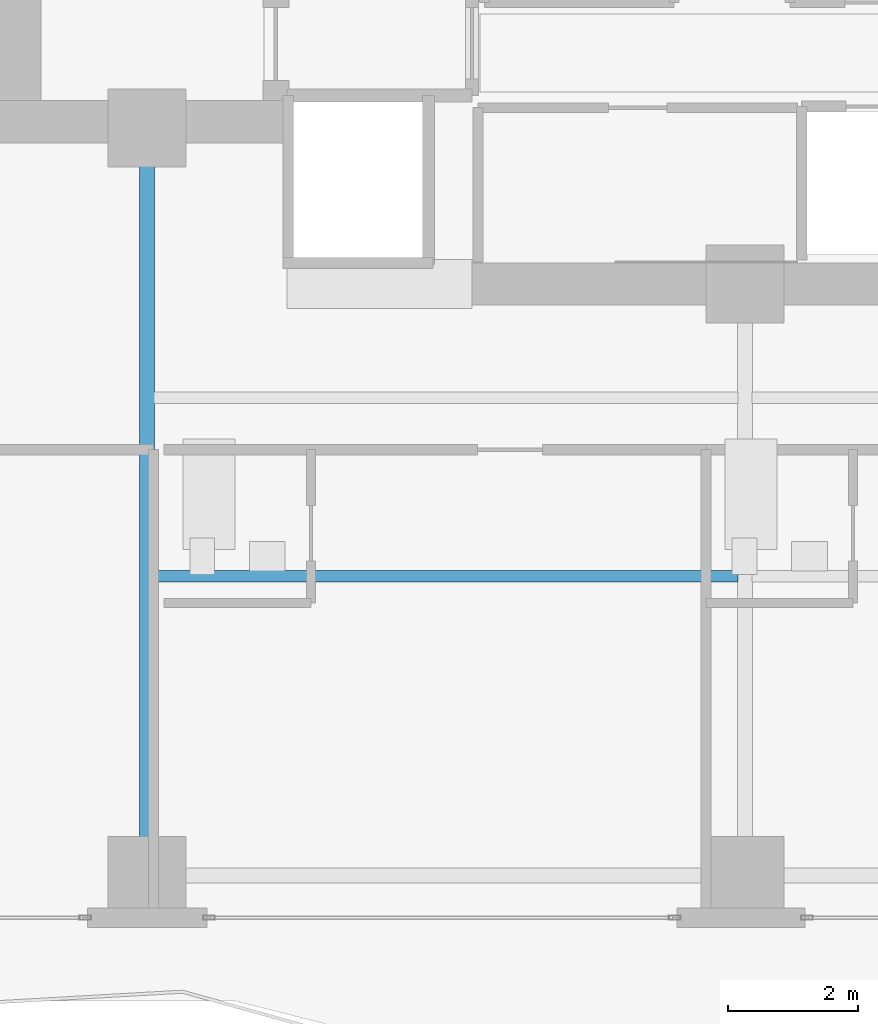
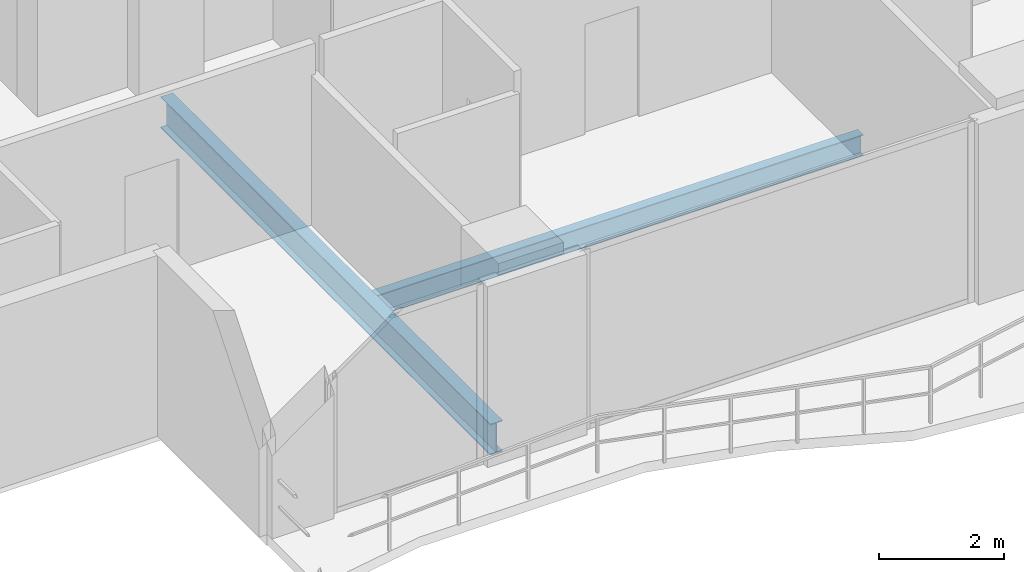
# One storey, part 3 of 32: 2 beams.
"""IFC4 building model written with IfcOpenShell, lengths in metres."""

from ifc_helpers import new_model, si_unit, direction, frame, origin, origin_2d, place, context, subcontext, project, spatial, i_section, extrude, material, material_profile, profile_set, type_object, element, save


model = new_model("IFC4")

# Units and contexts
model_context = context("Model", 3, precision=1e-05, world=origin(), true_north=direction((0.0, 1.0)))
body_context = subcontext(model_context, "Body", "Model", "MODEL_VIEW")
ifc_project = project(units=[si_unit("LENGTHUNIT", "METRE"), si_unit("AREAUNIT", "SQUARE_METRE"), si_unit("VOLUMEUNIT", "CUBIC_METRE"), si_unit("PLANEANGLEUNIT", "RADIAN"), si_unit("MASSUNIT", "GRAM", prefix="KILO")], contexts=[model_context])

# Site, building, storey
site_placement = place(None, origin())
site = spatial("IfcSite", under=ifc_project, at=site_placement, CompositionType="ELEMENT")
building_placement = place(site_placement, origin())
building = spatial("IfcBuilding", under=site, at=building_placement, Name="Zuhayl Quay Hotel", CompositionType="ELEMENT")
storey_placement = place(building_placement, frame((0.0, 0.0, 181.14990234375)))
storey = spatial("IfcBuildingStorey", under=building, at=storey_placement, Name="L45", CompositionType="ELEMENT", Elevation=181.14990234375)

# Beams
ifc_material = material(Name="Steel ASTM A992 Grade 50", Category="steel")
ifc_material_profile_1 = material_profile(ifc_material, i_section(OverallWidth=0.22802734375, OverallDepth=0.60693359375, WebThickness=0.01123046875, FlangeThickness=0.017333984375, at=origin_2d()), Name="W24X76")
ifc_profile_set_1 = profile_set([ifc_material_profile_1], Name="Steel ASTM A992 Grade 50")
beam_type_1 = type_object("IfcBeamType", Name="BM_B3_W24X76", PredefinedType="BEAM", material=ifc_profile_set_1)
beam_1_placement = place(storey_placement, frame((-13.800048828125, -6.449951171875, -0.5234375), z_axis=(0.0, 1.0, 0.0), x_axis=(-1.0, 0.0, 0.0)))
element("IfcBeam", 1, at=beam_1_placement, inside=storey, type_object=beam_type_1, Name="L45 Floor Beam FG_S_L45_1", PredefinedType="BEAM", context=body_context, shape_type="SweptSolid", body=[
    extrude(i_section(OverallWidth=0.22802734375, OverallDepth=0.60693359375, WebThickness=0.01123046875, FlangeThickness=0.017333984375, at=origin_2d()), origin(), (0.0, 0.0, 1.0), 10.550048828125),
])
ifc_material_profile_2 = material_profile(ifc_material, i_section(OverallWidth=0.177978515625, OverallDepth=0.406005859375, WebThickness=0.0078125, FlangeThickness=0.0126953125, at=origin_2d()), Name="W16X40")
ifc_profile_set_2 = profile_set([ifc_material_profile_2], Name="Steel ASTM A992 Grade 50")
beam_type_2 = type_object("IfcBeamType", Name="BM_J2B_W16X40", PredefinedType="JOIST", material=ifc_profile_set_2)
beam_2_placement = place(storey_placement, frame((-13.694091796875, -2.35009765625, -0.4228515625), z_axis=(1.0, 0.0, 0.0), x_axis=(0.0, 1.0, 0.0)))
element("IfcBeam", 2, at=beam_2_placement, inside=storey, type_object=beam_type_2, Name="L45 Floor Beam FJ_L45_7_1", PredefinedType="JOIST", context=body_context, shape_type="SweptSolid", body=[
    extrude(i_section(OverallWidth=0.177978515625, OverallDepth=0.406005859375, WebThickness=0.0078125, FlangeThickness=0.0126953125, at=origin_2d()), origin(), (0.0, 0.0, 1.0), 8.988037109375),
])

save(model, "model.ifc")
